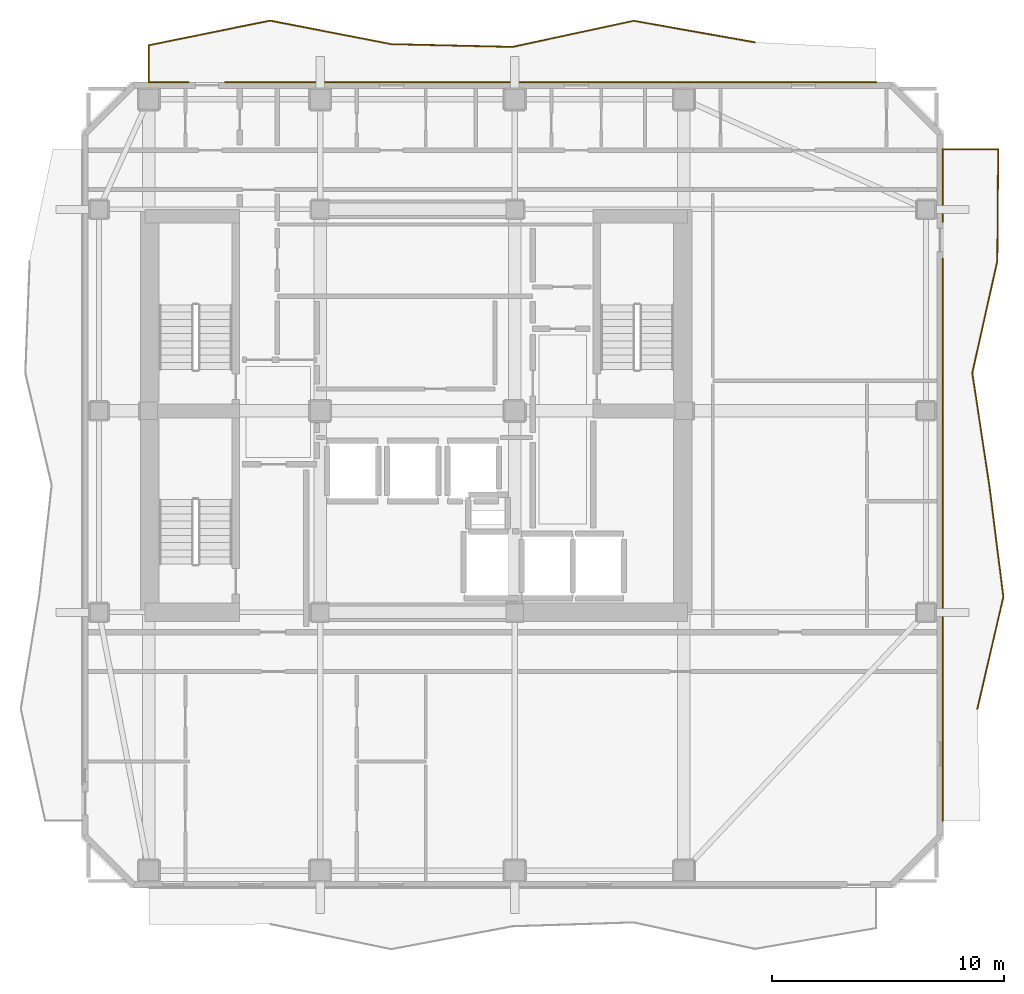
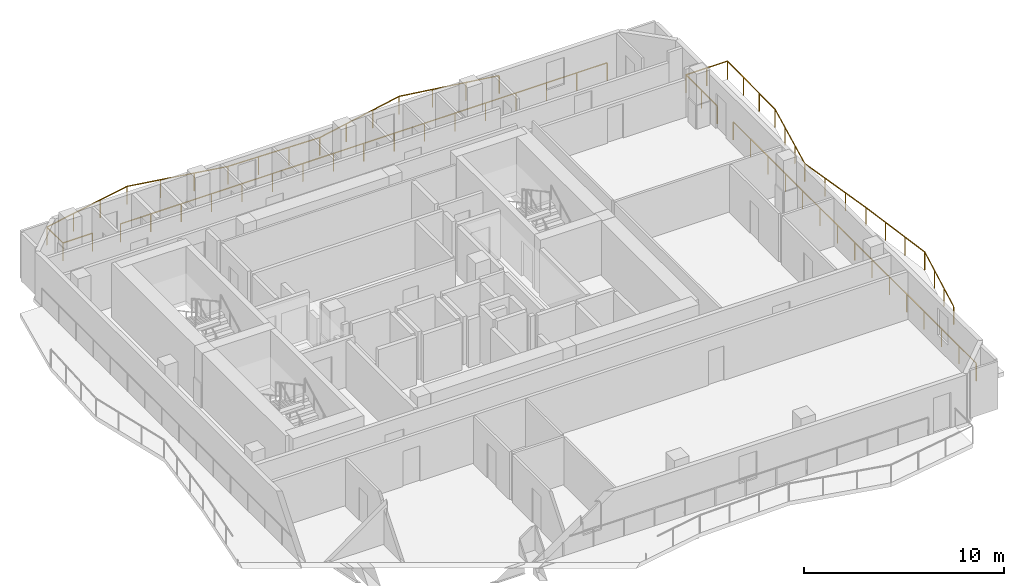
# One storey, part 9 of 9: 4 railings.
"""IFC4 building model written with IfcOpenShell, lengths in metres."""

import ifcopenshell
import ifcopenshell.guid

model = None  # the IFC model being written
_history = None  # IfcOwnerHistory: only IFC2X3 demands one
_inside = {}  # id of a spatial element -> (the spatial element, [elements in it])
_under = {}  # id of a project, library or spatial element -> (it, [spatial elements below it])
_declared = {}  # id of a project -> (the project, [libraries it declares])
_typed = {}  # id of a type object -> (the type object, [elements of that type])
_made_of = {}  # id of a material, layer set ... -> (it, [elements and type objects made of it])


def new_model(schema):
    """Start an empty IFC model of exactly this schema.

    Asked for "IFC4X3", IfcOpenShell would pick the latest addendum, in which some entities
    have other attributes; the version numbers below select the first issue.
    IFC2X3 requires an IfcOwnerHistory on every rooted entity: one is made here for all.
    """
    global model, _history
    if schema == "IFC4X3":
        model = ifcopenshell.file(schema_version=(4, 3, 0, 0))
    else:
        model = ifcopenshell.file(schema=schema)
    _inside.clear()
    _under.clear()
    _declared.clear()
    _typed.clear()
    _made_of.clear()
    _history = None
    if model.schema == "IFC2X3":
        org = make("IfcOrganization", Name="unknown")
        user = make(
            "IfcPersonAndOrganization",
            ThePerson=make("IfcPerson", FamilyName="unknown"),
            TheOrganization=org,
        )
        app = make(
            "IfcApplication",
            ApplicationDeveloper=org,
            Version="unknown",
            ApplicationFullName="unknown",
            ApplicationIdentifier="unknown",
        )
        _history = make(
            "IfcOwnerHistory",
            OwningUser=user,
            OwningApplication=app,
            ChangeAction="ADDED",
            CreationDate=0,
        )
    return model


def make(cls, **values):
    """One entity of the class cls with the attributes given. An attribute that is None is left unset."""
    return model.create_entity(
        cls, **{name: value for name, value in values.items() if value is not None}
    )


def rooted(cls, **values):
    """An entity with a GlobalId (a new one), such as an element, a storey or a relation."""
    return make(cls, GlobalId=ifcopenshell.guid.new(), OwnerHistory=_history, **values)


def si_unit(unit_type, name, prefix=None):
    """IfcSIUnit, for example si_unit("LENGTHUNIT", "METRE", prefix="MILLI")."""
    return make("IfcSIUnit", UnitType=unit_type, Prefix=prefix, Name=name)


def assignment(units):
    """IfcUnitAssignment: the units of a project."""
    return None if units is None else make("IfcUnitAssignment", Units=units)


def point(xyz):
    """IfcCartesianPoint."""
    return None if xyz is None else make("IfcCartesianPoint", Coordinates=xyz)


def direction(xyz):
    """IfcDirection."""
    return None if xyz is None else make("IfcDirection", DirectionRatios=xyz)


def frame(location, z_axis=None, x_axis=None):
    """IfcAxis2Placement3D, a coordinate frame: its origin and axes. An axis left out is left unset."""
    return make(
        "IfcAxis2Placement3D",
        Location=point(location),
        Axis=direction(z_axis),
        RefDirection=direction(x_axis),
    )


def frame_2d(location, x_axis=None):
    """IfcAxis2Placement2D, a coordinate frame in the plane: its origin and x axis."""
    return make(
        "IfcAxis2Placement2D", Location=point(location), RefDirection=direction(x_axis)
    )


def origin():
    """The frame at (0, 0, 0) with its axes left unset."""
    return frame((0.0, 0.0, 0.0))


def origin_2d():
    """The frame at (0, 0) in the plane with its x axis left unset."""
    return frame_2d((0.0, 0.0))


def place(relative_to, where):
    """IfcLocalPlacement: puts the frame where relative to a parent placement (None: the world)."""
    return make(
        "IfcLocalPlacement", PlacementRelTo=relative_to, RelativePlacement=where
    )


def context(
    kind, dimensions, precision=None, world=None, true_north=None, identifier=None
):
    """IfcGeometricRepresentationContext, for example the 3D "Model" context."""
    return make(
        "IfcGeometricRepresentationContext",
        ContextIdentifier=identifier,
        ContextType=kind,
        CoordinateSpaceDimension=dimensions,
        Precision=precision,
        WorldCoordinateSystem=world,
        TrueNorth=true_north,
    )


def subcontext(parent, identifier, kind, view, scale=None):
    """IfcGeometricRepresentationSubContext, for example "Body" below "Model"."""
    return make(
        "IfcGeometricRepresentationSubContext",
        ContextIdentifier=identifier,
        ContextType=kind,
        ParentContext=parent,
        TargetScale=scale,
        TargetView=view,
    )


def project(units=None, contexts=None):
    """IfcProject with its units and contexts."""
    return rooted(
        "IfcProject",
        Name="project",
        RepresentationContexts=contexts,
        UnitsInContext=assignment(units),
    )


def spatial(cls, under=None, at=None, **own):
    """A site, building, storey or space (cls), placed at a placement, below another one or the project."""
    s = rooted(cls, ObjectPlacement=at, **own)
    if under is not None:
        _under.setdefault(under.id(), (under, []))[1].append(s)
    return s


def profile(cls, at=None, kind="AREA", **sizes):
    """A parametric profile (cls). Its sizes go by their IFC names, for example OverallWidth=200.0."""
    return make(cls, ProfileType=kind, Position=at, **sizes)


def rectangle(**sizes):
    """IfcRectangleProfileDef."""
    return profile("IfcRectangleProfileDef", **sizes)


def extrude(swept, where, along, depth):
    """IfcExtrudedAreaSolid: the profile swept, set in the frame where, extruded along a direction by depth."""
    return make(
        "IfcExtrudedAreaSolid",
        SweptArea=swept,
        Position=where,
        ExtrudedDirection=direction(along),
        Depth=depth,
    )


def shape(context_of_items, identifier, shape_type, items):
    """IfcShapeRepresentation: the items that make up one representation, for example the "Body"."""
    return make(
        "IfcShapeRepresentation",
        ContextOfItems=context_of_items,
        RepresentationIdentifier=identifier,
        RepresentationType=shape_type,
        Items=items,
    )


def material(Name=None, Category=None):
    """IfcMaterial."""
    return make("IfcMaterial", Name=Name, Category=Category)


def made_of(thing, what):
    """Note that an element or type object is made of a material, layer set ...; save() writes the relation."""
    if what is not None:
        _made_of.setdefault(what.id(), (what, []))[1].append(thing)
    return thing


def type_object(cls, material=None, **own):
    """A type object (cls), such as IfcWallType, which elements share."""
    return made_of(rooted(cls, **own), material)


def element(
    cls,
    number,
    at=None,
    inside=None,
    cuts=None,
    type_object=None,
    material=None,
    context=None,
    identifier="Body",
    shape_type=None,
    held_by="IfcProductDefinitionShape",
    body=None,
    shapes=None,
    **own,
):
    """One element of the class cls, such as IfcWall. Its Tag is "e" and its number.

    at: its placement. inside: the storey or other place that contains it. cuts: it is an
    opening in that element (IfcRelVoidsElement). A single representation is given by context,
    identifier, shape_type and body (its items); several are given by shapes. held_by: the class
    of the entity that holds the representations. save() writes the other relations.
    """
    e = rooted(cls, Tag="e%d" % number, ObjectPlacement=at, **own)
    if body is not None:
        shapes = [shape(context, identifier, shape_type, body)]
    if shapes is not None:
        e.Representation = make(held_by, Representations=shapes)
    if inside is not None:
        _inside.setdefault(inside.id(), (inside, []))[1].append(e)
    if cuts is not None:
        rooted(
            "IfcRelVoidsElement", RelatingBuildingElement=cuts, RelatedOpeningElement=e
        )
    if type_object is not None:
        _typed.setdefault(type_object.id(), (type_object, []))[1].append(e)
    return made_of(e, material)


def aggregate(whole, parts):
    """IfcRelAggregates: a whole, such as a stair, and the parts it consists of."""
    return rooted("IfcRelAggregates", RelatingObject=whole, RelatedObjects=parts)


def save(model, path):
    """Write the relations noted so far, then the file.

    IfcRelAggregates (storeys below a building ...), IfcRelContainedInSpatialStructure (elements
    in a storey), IfcRelDefinesByType, IfcRelAssociatesMaterial and IfcRelDeclares: one each for
    every whole, place, type object, material and project.
    """
    for whole, parts in _under.values():
        aggregate(whole, parts)
    for where, things in _inside.values():
        rooted(
            "IfcRelContainedInSpatialStructure",
            RelatedElements=things,
            RelatingStructure=where,
        )
    for kind, things in _typed.values():
        rooted("IfcRelDefinesByType", RelatedObjects=things, RelatingType=kind)
    for what, things in _made_of.values():
        rooted("IfcRelAssociatesMaterial", RelatedObjects=things, RelatingMaterial=what)
    for by, libraries in _declared.values():
        rooted("IfcRelDeclares", RelatingContext=by, RelatedDefinitions=libraries)
    model.write(path)


model = new_model("IFC4")

# Units and contexts
model_context = context("Model", 3, precision=1e-05, world=origin(), true_north=direction((0.0, 1.0)))
body_context = subcontext(model_context, "Body", "Model", "MODEL_VIEW")
ifc_project = project(units=[si_unit("LENGTHUNIT", "METRE"), si_unit("AREAUNIT", "SQUARE_METRE"), si_unit("VOLUMEUNIT", "CUBIC_METRE"), si_unit("PLANEANGLEUNIT", "RADIAN"), si_unit("MASSUNIT", "GRAM", prefix="KILO")], contexts=[model_context])

# Site, building, storey
site_placement = place(None, origin())
site = spatial("IfcSite", under=ifc_project, at=site_placement, CompositionType="ELEMENT")
building_placement = place(site_placement, origin())
building = spatial("IfcBuilding", under=site, at=building_placement, Name="Solanera Arch Residences", CompositionType="ELEMENT")
storey_placement = place(building_placement, frame((0.0, 0.0, 223.360107421875)))
storey = spatial("IfcBuildingStorey", under=building, at=storey_placement, Name="L65", CompositionType="ELEMENT", Elevation=223.360107421875)

# Railings
ifc_material = material(Name="Steel S355 (ASTM A992 / A572 Grade 50)", Category="steel")
railing_type = type_object("IfcRailingType", Name="Balustrade Railing BL-1100", PredefinedType="BALUSTRADE", material=ifc_material)
railing_1_placement = place(storey_placement, frame((39.56689453125, 46.612060546875, 0.0)))
element("IfcRailing", 1, at=railing_1_placement, inside=storey, type_object=railing_type, Name="L65 N Balcony Balustrade 1", PredefinedType="BALUSTRADE", context=body_context, shape_type="SweptSolid", body=[
    extrude(rectangle(XDim=0.048095703125, YDim=0.048095703125, at=origin_2d()), frame((0.0, 0.0, 1.09619140625), z_axis=(-0.984611541391, 0.174757296156, 0.0), x_axis=(-0.174757296156, -0.984611541391, 0.0)), (0.0, 0.0, 1.0), 5.315673828125),
    extrude(rectangle(XDim=0.048095703125, YDim=0.048095703125, at=origin_2d()), frame((-5.23388671875, 0.928955078125, 1.09619140625), z_axis=(-0.977624514168, -0.21035757485, 0.0), x_axis=(0.21035757485, -0.977624514168, 0.0)), (0.0, 0.0, 1.0), 5.352783203125),
    extrude(rectangle(XDim=0.048095703125, YDim=0.048095703125, at=origin_2d()), frame((-10.466796875, -0.197021484375, 1.09619140625), z_axis=(-0.999742004069, 0.022713989082, 0.0), x_axis=(-0.022713989082, -0.999742004069, 0.0)), (0.0, 0.0, 1.0), 5.234619140625),
    extrude(rectangle(XDim=0.048095703125, YDim=0.048095703125, at=origin_2d()), frame((-15.699951171875, -0.078125, 1.09619140625), z_axis=(-0.981705367815, 0.190406330785, 0.0), x_axis=(-0.190406330785, -0.981705367815, 0.0)), (0.0, 0.0, 1.0), 5.33154296875),
    extrude(rectangle(XDim=0.048095703125, YDim=0.048095703125, at=origin_2d()), frame((-20.933837890625, 0.93701171875, 1.09619140625), z_axis=(-0.979951490901, -0.19923623034, 0.0), x_axis=(0.19923623034, -0.979951490901, 0.0)), (0.0, 0.0, 1.0), 5.34033203125),
    extrude(rectangle(XDim=0.048095703125, YDim=0.048095703125, at=origin_2d()), frame((-26.1669921875, -0.126953125, 1.09619140625), z_axis=(0.0, -1.0, 0.0), x_axis=(1.0, 0.0, 0.0)), (0.0, 0.0, 1.0), 1.605224609375),
    extrude(rectangle(XDim=0.048095703125, YDim=0.048095703125, at=origin_2d()), frame((-26.1669921875, -1.732177734375, 1.09619140625), z_axis=(1.0, 0.0, 0.0), x_axis=(0.0, 1.0, 0.0)), (0.0, 0.0, 1.0), 1.710205078125),
    extrude(rectangle(XDim=0.0419921875, YDim=0.0419921875, at=origin_2d()), origin(), (0.0, 0.0, 1.0), 1.072021484375),
    extrude(rectangle(XDim=0.0419921875, YDim=0.0419921875, at=origin_2d()), frame((-1.74462890625, 0.3095703125, 0.0)), (0.0, 0.0, 1.0), 1.072021484375),
    extrude(rectangle(XDim=0.0419921875, YDim=0.0419921875, at=origin_2d()), frame((-3.4892578125, 0.619384765625, 0.0)), (0.0, 0.0, 1.0), 1.072021484375),
    extrude(rectangle(XDim=0.0419921875, YDim=0.0419921875, at=origin_2d()), frame((-5.23388671875, 0.928955078125, 0.0)), (0.0, 0.0, 1.0), 1.072021484375),
    extrude(rectangle(XDim=0.0419921875, YDim=0.0419921875, at=origin_2d()), frame((-6.978271484375, 0.5537109375, 0.0)), (0.0, 0.0, 1.0), 1.072021484375),
    extrude(rectangle(XDim=0.0419921875, YDim=0.0419921875, at=origin_2d()), frame((-8.722412109375, 0.17822265625, 0.0)), (0.0, 0.0, 1.0), 1.072021484375),
    extrude(rectangle(XDim=0.0419921875, YDim=0.0419921875, at=origin_2d()), frame((-10.466796875, -0.197021484375, 0.0)), (0.0, 0.0, 1.0), 1.072021484375),
    extrude(rectangle(XDim=0.0419921875, YDim=0.0419921875, at=origin_2d()), frame((-12.211181640625, -0.157470703125, 0.0)), (0.0, 0.0, 1.0), 1.072021484375),
    extrude(rectangle(XDim=0.0419921875, YDim=0.0419921875, at=origin_2d()), frame((-13.95556640625, -0.11767578125, 0.0)), (0.0, 0.0, 1.0), 1.072021484375),
    extrude(rectangle(XDim=0.0419921875, YDim=0.0419921875, at=origin_2d()), frame((-15.699951171875, -0.078125, 0.0)), (0.0, 0.0, 1.0), 1.072021484375),
    extrude(rectangle(XDim=0.0419921875, YDim=0.0419921875, at=origin_2d()), frame((-17.444580078125, 0.26025390625, 0.0)), (0.0, 0.0, 1.0), 1.072021484375),
    extrude(rectangle(XDim=0.0419921875, YDim=0.0419921875, at=origin_2d()), frame((-19.189208984375, 0.5986328125, 0.0)), (0.0, 0.0, 1.0), 1.072021484375),
    extrude(rectangle(XDim=0.0419921875, YDim=0.0419921875, at=origin_2d()), frame((-20.933837890625, 0.93701171875, 0.0)), (0.0, 0.0, 1.0), 1.072021484375),
    extrude(rectangle(XDim=0.0419921875, YDim=0.0419921875, at=origin_2d()), frame((-22.67822265625, 0.582275390625, 0.0)), (0.0, 0.0, 1.0), 1.072021484375),
    extrude(rectangle(XDim=0.0419921875, YDim=0.0419921875, at=origin_2d()), frame((-24.422607421875, 0.227783203125, 0.0)), (0.0, 0.0, 1.0), 1.072021484375),
    extrude(rectangle(XDim=0.0419921875, YDim=0.0419921875, at=origin_2d()), frame((-26.1669921875, -0.126953125, 0.0)), (0.0, 0.0, 1.0), 1.072021484375),
    extrude(rectangle(XDim=0.0419921875, YDim=0.0419921875, at=origin_2d()), frame((-26.1669921875, -1.732177734375, 0.0)), (0.0, 0.0, 1.0), 1.072021484375),
    extrude(rectangle(XDim=0.0419921875, YDim=0.0419921875, at=origin_2d()), frame((-24.456787109375, -1.732177734375, 0.0)), (0.0, 0.0, 1.0), 1.072021484375),
])
railing_2_placement = place(storey_placement, frame((16.7099609375, 44.8798828125, 0.0)))
element("IfcRailing", 2, at=railing_2_placement, inside=storey, type_object=railing_type, Name="L65 N Balcony Balustrade 2", PredefinedType="BALUSTRADE", context=body_context, shape_type="SweptSolid", body=[
    extrude(rectangle(XDim=0.048095703125, YDim=0.048095703125, at=origin_2d()), frame((0.0, 0.0, 1.09619140625), z_axis=(1.0, 0.0, 0.0), x_axis=(0.0, 1.0, 0.0)), (0.0, 0.0, 1.0), 28.090087890625),
    extrude(rectangle(XDim=0.0419921875, YDim=0.0419921875, at=origin_2d()), origin(), (0.0, 0.0, 1.0), 1.072021484375),
    extrude(rectangle(XDim=0.0419921875, YDim=0.0419921875, at=origin_2d()), frame((1.755615234375, 0.0, 0.0)), (0.0, 0.0, 1.0), 1.072021484375),
    extrude(rectangle(XDim=0.0419921875, YDim=0.0419921875, at=origin_2d()), frame((3.51123046875, 0.0, 0.0)), (0.0, 0.0, 1.0), 1.072021484375),
    extrude(rectangle(XDim=0.0419921875, YDim=0.0419921875, at=origin_2d()), frame((5.266845703125, 0.0, 0.0)), (0.0, 0.0, 1.0), 1.072021484375),
    extrude(rectangle(XDim=0.0419921875, YDim=0.0419921875, at=origin_2d()), frame((7.0224609375, 0.0, 0.0)), (0.0, 0.0, 1.0), 1.072021484375),
    extrude(rectangle(XDim=0.0419921875, YDim=0.0419921875, at=origin_2d()), frame((8.778076171875, 0.0, 0.0)), (0.0, 0.0, 1.0), 1.072021484375),
    extrude(rectangle(XDim=0.0419921875, YDim=0.0419921875, at=origin_2d()), frame((10.53369140625, 0.0, 0.0)), (0.0, 0.0, 1.0), 1.072021484375),
    extrude(rectangle(XDim=0.0419921875, YDim=0.0419921875, at=origin_2d()), frame((12.289306640625, 0.0, 0.0)), (0.0, 0.0, 1.0), 1.072021484375),
    extrude(rectangle(XDim=0.0419921875, YDim=0.0419921875, at=origin_2d()), frame((14.044921875, 0.0, 0.0)), (0.0, 0.0, 1.0), 1.072021484375),
    extrude(rectangle(XDim=0.0419921875, YDim=0.0419921875, at=origin_2d()), frame((15.80078125, 0.0, 0.0)), (0.0, 0.0, 1.0), 1.072021484375),
    extrude(rectangle(XDim=0.0419921875, YDim=0.0419921875, at=origin_2d()), frame((17.556396484375, 0.0, 0.0)), (0.0, 0.0, 1.0), 1.072021484375),
    extrude(rectangle(XDim=0.0419921875, YDim=0.0419921875, at=origin_2d()), frame((19.31201171875, 0.0, 0.0)), (0.0, 0.0, 1.0), 1.072021484375),
    extrude(rectangle(XDim=0.0419921875, YDim=0.0419921875, at=origin_2d()), frame((21.067626953125, 0.0, 0.0)), (0.0, 0.0, 1.0), 1.072021484375),
    extrude(rectangle(XDim=0.0419921875, YDim=0.0419921875, at=origin_2d()), frame((22.8232421875, 0.0, 0.0)), (0.0, 0.0, 1.0), 1.072021484375),
    extrude(rectangle(XDim=0.0419921875, YDim=0.0419921875, at=origin_2d()), frame((24.578857421875, 0.0, 0.0)), (0.0, 0.0, 1.0), 1.072021484375),
    extrude(rectangle(XDim=0.0419921875, YDim=0.0419921875, at=origin_2d()), frame((26.33447265625, 0.0, 0.0)), (0.0, 0.0, 1.0), 1.072021484375),
    extrude(rectangle(XDim=0.0419921875, YDim=0.0419921875, at=origin_2d()), frame((28.090087890625, 0.0, 0.0)), (0.0, 0.0, 1.0), 1.072021484375),
])
railing_3_placement = place(storey_placement, frame((49.172119140625, 17.8330078125, 0.0)))
element("IfcRailing", 3, at=railing_3_placement, inside=storey, type_object=railing_type, Name="L65 E Balcony Balustrade 1", PredefinedType="BALUSTRADE", context=body_context, shape_type="SweptSolid", body=[
    extrude(rectangle(XDim=0.048095703125, YDim=0.048095703125, at=origin_2d()), frame((0.0, 0.0, 1.09619140625), z_axis=(0.226436435496, 0.974025944562, 0.0), x_axis=(-0.974025944562, 0.226436435496, 0.0)), (0.0, 0.0, 1.0), 4.962890625),
    extrude(rectangle(XDim=0.048095703125, YDim=0.048095703125, at=origin_2d()), frame((1.123779296875, 4.833984375, 1.09619140625), z_axis=(-0.125194298994, 0.992132242949, 0.0), x_axis=(-0.992132242949, -0.125194298994, 0.0)), (0.0, 0.0, 1.0), 4.871337890625),
    extrude(rectangle(XDim=0.048095703125, YDim=0.048095703125, at=origin_2d()), frame((0.513916015625, 9.6669921875, 1.09619140625), z_axis=(-0.14973732016, 0.988725813839, 0.0), x_axis=(-0.988725813839, -0.14973732016, 0.0)), (0.0, 0.0, 1.0), 4.88818359375),
    extrude(rectangle(XDim=0.048095703125, YDim=0.048095703125, at=origin_2d()), frame((-0.218017578125, 14.5, 1.09619140625), z_axis=(0.21801065066, 0.975946390023, 0.0), x_axis=(-0.975946390023, 0.21801065066, 0.0)), (0.0, 0.0, 1.0), 4.953125),
    extrude(rectangle(XDim=0.048095703125, YDim=0.048095703125, at=origin_2d()), frame((0.86181640625, 19.333984375, 1.09619140625), z_axis=(0.007880135199, 0.999968951253, 0.0), x_axis=(-0.999968951253, 0.007880135199, 0.0)), (0.0, 0.0, 1.0), 4.833251953125),
    extrude(rectangle(XDim=0.048095703125, YDim=0.048095703125, at=origin_2d()), frame((0.89990234375, 24.1669921875, 1.09619140625), z_axis=(-1.0, 0.0, 0.0), x_axis=(0.0, -1.0, 0.0)), (0.0, 0.0, 1.0), 2.39208984375),
    extrude(rectangle(XDim=0.048095703125, YDim=0.048095703125, at=origin_2d()), frame((-1.4921875, 24.1669921875, 1.09619140625), z_axis=(0.0, -1.0, 0.0), x_axis=(1.0, 0.0, 0.0)), (0.0, 0.0, 1.0), 3.126953125),
    extrude(rectangle(XDim=0.0419921875, YDim=0.0419921875, at=origin_2d()), origin(), (0.0, 0.0, 1.0), 1.072021484375),
    extrude(rectangle(XDim=0.0419921875, YDim=0.0419921875, at=origin_2d()), frame((0.37451171875, 1.611328125, 0.0)), (0.0, 0.0, 1.0), 1.072021484375),
    extrude(rectangle(XDim=0.0419921875, YDim=0.0419921875, at=origin_2d()), frame((0.749267578125, 3.22265625, 0.0)), (0.0, 0.0, 1.0), 1.072021484375),
    extrude(rectangle(XDim=0.0419921875, YDim=0.0419921875, at=origin_2d()), frame((1.123779296875, 4.833984375, 0.0)), (0.0, 0.0, 1.0), 1.072021484375),
    extrude(rectangle(XDim=0.0419921875, YDim=0.0419921875, at=origin_2d()), frame((0.92041015625, 6.445068359375, 0.0)), (0.0, 0.0, 1.0), 1.072021484375),
    extrude(rectangle(XDim=0.0419921875, YDim=0.0419921875, at=origin_2d()), frame((0.71728515625, 8.055908203125, 0.0)), (0.0, 0.0, 1.0), 1.072021484375),
    extrude(rectangle(XDim=0.0419921875, YDim=0.0419921875, at=origin_2d()), frame((0.513916015625, 9.6669921875, 0.0)), (0.0, 0.0, 1.0), 1.072021484375),
    extrude(rectangle(XDim=0.0419921875, YDim=0.0419921875, at=origin_2d()), frame((0.27001953125, 11.278076171875, 0.0)), (0.0, 0.0, 1.0), 1.072021484375),
    extrude(rectangle(XDim=0.0419921875, YDim=0.0419921875, at=origin_2d()), frame((0.02587890625, 12.888916015625, 0.0)), (0.0, 0.0, 1.0), 1.072021484375),
    extrude(rectangle(XDim=0.0419921875, YDim=0.0419921875, at=origin_2d()), frame((-0.218017578125, 14.5, 0.0)), (0.0, 0.0, 1.0), 1.072021484375),
    extrude(rectangle(XDim=0.0419921875, YDim=0.0419921875, at=origin_2d()), frame((0.141845703125, 16.111328125, 0.0)), (0.0, 0.0, 1.0), 1.072021484375),
    extrude(rectangle(XDim=0.0419921875, YDim=0.0419921875, at=origin_2d()), frame((0.501953125, 17.72265625, 0.0)), (0.0, 0.0, 1.0), 1.072021484375),
    extrude(rectangle(XDim=0.0419921875, YDim=0.0419921875, at=origin_2d()), frame((0.86181640625, 19.333984375, 0.0)), (0.0, 0.0, 1.0), 1.072021484375),
    extrude(rectangle(XDim=0.0419921875, YDim=0.0419921875, at=origin_2d()), frame((0.87451171875, 20.945068359375, 0.0)), (0.0, 0.0, 1.0), 1.072021484375),
    extrude(rectangle(XDim=0.0419921875, YDim=0.0419921875, at=origin_2d()), frame((0.88720703125, 22.555908203125, 0.0)), (0.0, 0.0, 1.0), 1.072021484375),
    extrude(rectangle(XDim=0.0419921875, YDim=0.0419921875, at=origin_2d()), frame((0.89990234375, 24.1669921875, 0.0)), (0.0, 0.0, 1.0), 1.072021484375),
    extrude(rectangle(XDim=0.0419921875, YDim=0.0419921875, at=origin_2d()), frame((-0.296142578125, 24.1669921875, 0.0)), (0.0, 0.0, 1.0), 1.072021484375),
    extrude(rectangle(XDim=0.0419921875, YDim=0.0419921875, at=origin_2d()), frame((-1.4921875, 24.1669921875, 0.0)), (0.0, 0.0, 1.0), 1.072021484375),
    extrude(rectangle(XDim=0.0419921875, YDim=0.0419921875, at=origin_2d()), frame((-1.4921875, 22.603515625, 0.0)), (0.0, 0.0, 1.0), 1.072021484375),
    extrude(rectangle(XDim=0.0419921875, YDim=0.0419921875, at=origin_2d()), frame((-1.4921875, 21.0400390625, 0.0)), (0.0, 0.0, 1.0), 1.072021484375),
])
railing_4_placement = place(storey_placement, frame((47.679931640625, 37.27294921875, 0.0)))
element("IfcRailing", 4, at=railing_4_placement, inside=storey, type_object=railing_type, Name="L65 E Balcony Balustrade 2", PredefinedType="BALUSTRADE", context=body_context, shape_type="SweptSolid", body=[
    extrude(rectangle(XDim=0.048095703125, YDim=0.048095703125, at=origin_2d()), frame((0.0, 0.0, 1.09619140625), z_axis=(0.0, -1.0, 0.0), x_axis=(1.0, 0.0, 0.0)), (0.0, 0.0, 1.0), 24.27294921875),
    extrude(rectangle(XDim=0.0419921875, YDim=0.0419921875, at=origin_2d()), origin(), (0.0, 0.0, 1.0), 1.072021484375),
    extrude(rectangle(XDim=0.0419921875, YDim=0.0419921875, at=origin_2d()), frame((0.0, -1.73388671875, 0.0)), (0.0, 0.0, 1.0), 1.072021484375),
    extrude(rectangle(XDim=0.0419921875, YDim=0.0419921875, at=origin_2d()), frame((0.0, -3.467529296875, 0.0)), (0.0, 0.0, 1.0), 1.072021484375),
    extrude(rectangle(XDim=0.0419921875, YDim=0.0419921875, at=origin_2d()), frame((0.0, -5.201416015625, 0.0)), (0.0, 0.0, 1.0), 1.072021484375),
    extrude(rectangle(XDim=0.0419921875, YDim=0.0419921875, at=origin_2d()), frame((0.0, -6.93505859375, 0.0)), (0.0, 0.0, 1.0), 1.072021484375),
    extrude(rectangle(XDim=0.0419921875, YDim=0.0419921875, at=origin_2d()), frame((0.0, -8.6689453125, 0.0)), (0.0, 0.0, 1.0), 1.072021484375),
    extrude(rectangle(XDim=0.0419921875, YDim=0.0419921875, at=origin_2d()), frame((0.0, -10.402587890625, 0.0)), (0.0, 0.0, 1.0), 1.072021484375),
    extrude(rectangle(XDim=0.0419921875, YDim=0.0419921875, at=origin_2d()), frame((0.0, -12.136474609375, 0.0)), (0.0, 0.0, 1.0), 1.072021484375),
    extrude(rectangle(XDim=0.0419921875, YDim=0.0419921875, at=origin_2d()), frame((0.0, -13.870361328125, 0.0)), (0.0, 0.0, 1.0), 1.072021484375),
    extrude(rectangle(XDim=0.0419921875, YDim=0.0419921875, at=origin_2d()), frame((0.0, -15.60400390625, 0.0)), (0.0, 0.0, 1.0), 1.072021484375),
    extrude(rectangle(XDim=0.0419921875, YDim=0.0419921875, at=origin_2d()), frame((0.0, -17.337890625, 0.0)), (0.0, 0.0, 1.0), 1.072021484375),
    extrude(rectangle(XDim=0.0419921875, YDim=0.0419921875, at=origin_2d()), frame((0.0, -19.071533203125, 0.0)), (0.0, 0.0, 1.0), 1.072021484375),
    extrude(rectangle(XDim=0.0419921875, YDim=0.0419921875, at=origin_2d()), frame((0.0, -20.805419921875, 0.0)), (0.0, 0.0, 1.0), 1.072021484375),
    extrude(rectangle(XDim=0.0419921875, YDim=0.0419921875, at=origin_2d()), frame((0.0, -22.5390625, 0.0)), (0.0, 0.0, 1.0), 1.072021484375),
    extrude(rectangle(XDim=0.0419921875, YDim=0.0419921875, at=origin_2d()), frame((0.0, -24.27294921875, 0.0)), (0.0, 0.0, 1.0), 1.072021484375),
])

save(model, "model.ifc")
